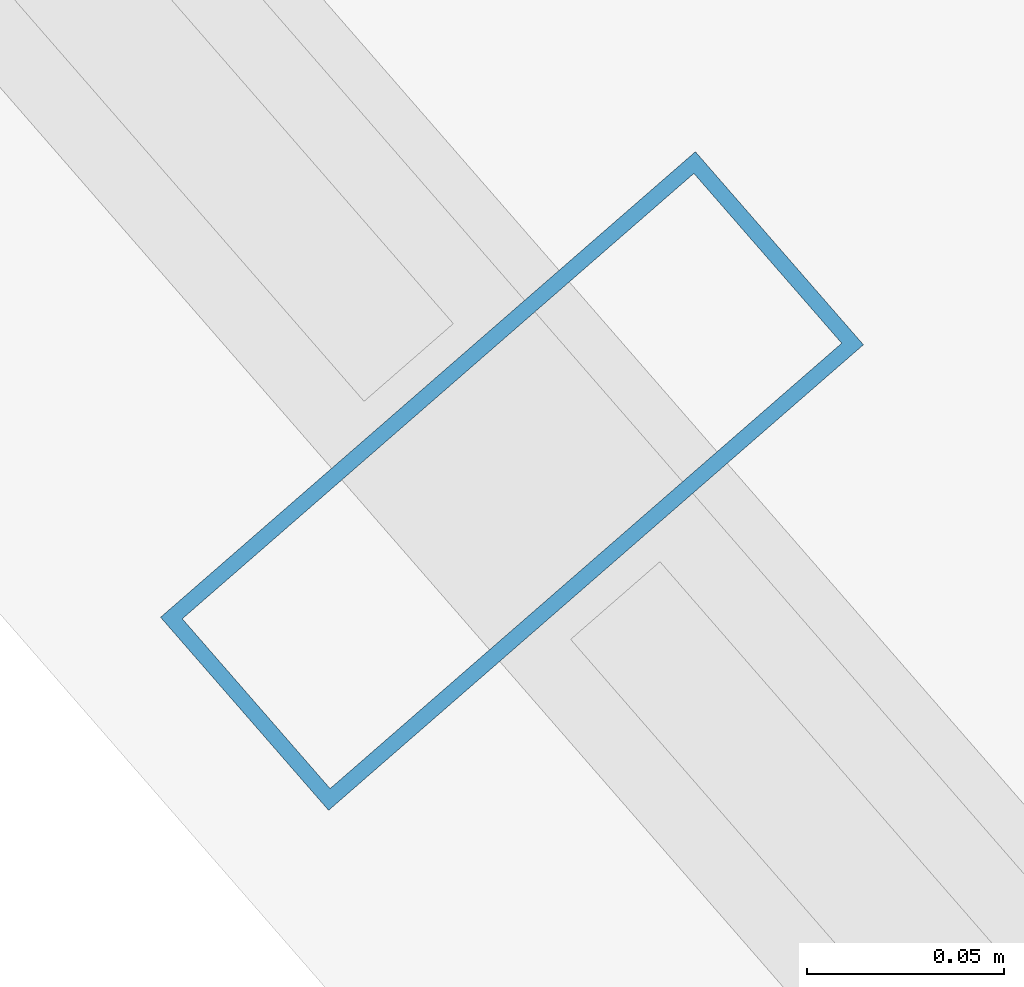
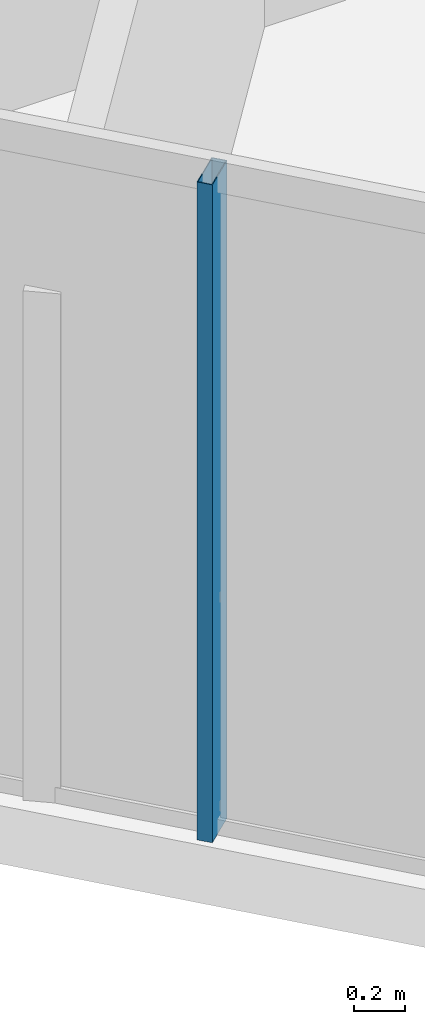
# One storey, part 2 of 27: 1 member, 1 element without a shape of its own.
"""IFC4 building model written with IfcOpenShell, lengths in metres."""

from ifc_helpers import new_model, si_unit, direction, frame, origin, origin_2d, place, context, subcontext, project, spatial, hollow_rectangle, extrude, material, layer, layer_set, material_profile, profile_set, type_object, element, aggregate, save


model = new_model("IFC4")

# Units and contexts
model_context = context("Model", 3, precision=1e-05, world=origin(), true_north=direction((0.0, 1.0)))
body_context = subcontext(model_context, "Body", "Model", "MODEL_VIEW")
ifc_project = project(units=[si_unit("LENGTHUNIT", "METRE"), si_unit("AREAUNIT", "SQUARE_METRE"), si_unit("VOLUMEUNIT", "CUBIC_METRE"), si_unit("PLANEANGLEUNIT", "RADIAN"), si_unit("MASSUNIT", "GRAM", prefix="KILO")], contexts=[model_context])

# Site, building, storey
site_placement = place(None, origin())
site = spatial("IfcSite", under=ifc_project, at=site_placement, CompositionType="ELEMENT")
building_placement = place(site_placement, origin())
building = spatial("IfcBuilding", under=site, at=building_placement, Name="Qarnah Convention Tower", CompositionType="ELEMENT")
storey_placement = place(building_placement, frame((0.0, 0.0, 107.39990234375)))
storey = spatial("IfcBuildingStorey", under=building, at=storey_placement, Name="L28", CompositionType="ELEMENT", Elevation=107.39990234375)

# Curtain wall, member
ifc_material_1 = material(Name="Tempered Low-E dark glass", Category="glass")
ifc_layer = layer(ifc_material_1, 0.169921875)
ifc_layer_set = layer_set([ifc_layer], Name="Tempered Low-E dark glass")
curtain_wall_type = type_object("IfcCurtainWallType", Name="CWS-02", PredefinedType="NOTDEFINED", material=ifc_layer_set)
curtain_wall_placement = place(storey_placement, origin())
curtain_wall = element("IfcCurtainWall", 1, at=curtain_wall_placement, inside=storey, type_object=curtain_wall_type, Name="L28 unitised curtain wall CW-L28-F3", PredefinedType="NOTDEFINED")
ifc_material_2 = material(Name="Black anodised aluminium", Category="aluminium")
ifc_material_profile = material_profile(ifc_material_2, hollow_rectangle(XDim=0.06494140625, YDim=0.179931640625, WallThickness=0.00390625, at=origin_2d()), Name="MUL-65X180")
ifc_profile_set = profile_set([ifc_material_profile], Name="Black anodised aluminium")
member_type = type_object("IfcMemberType", Name="MUL-T2", PredefinedType="MULLION", material=ifc_profile_set)
member_placement = place(storey_placement, frame((26.79736328125, 12.050048828125, 0.0), z_axis=(0.0, 0.0, 1.0), x_axis=(-0.6565842682, 0.754252675668, 0.0)))
member = element("IfcMember", 2, at=member_placement, type_object=member_type, Name="CW-L28-F3 mullion 3", PredefinedType="MULLION", context=body_context, shape_type="SweptSolid", body=[
    extrude(hollow_rectangle(XDim=0.06494140625, YDim=0.179931640625, WallThickness=0.00390625, at=origin_2d()), origin(), (0.0, 0.0, 1.0), 3.170166015625),
])
aggregate(curtain_wall, [member])

save(model, "model.ifc")
